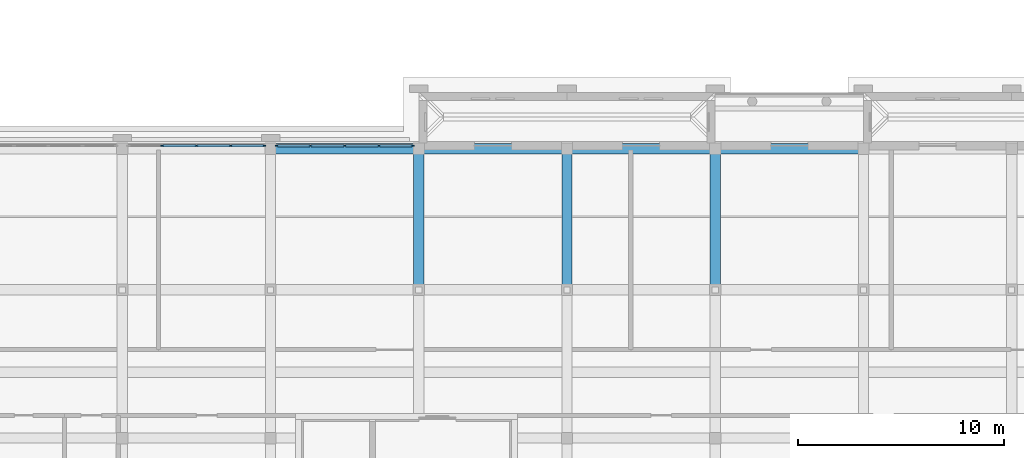
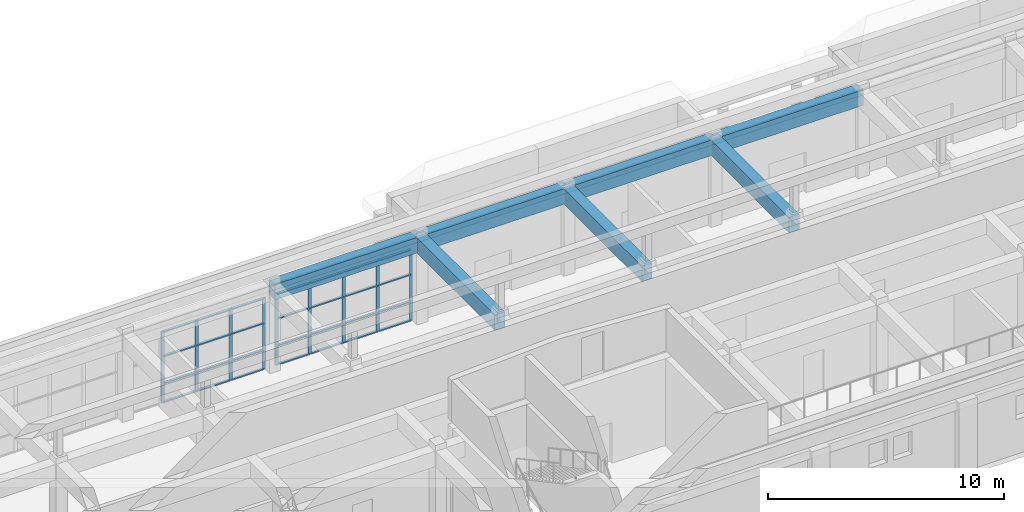
# One storey, part 10 of 48: 37 members, 7 beams, 2 elements without a shape of their own.
"""IFC4 building model written with IfcOpenShell, lengths in metres."""

from ifc_helpers import new_model, si_unit, direction, frame, origin, origin_2d, place, context, subcontext, project, spatial, rectangle, extrude, material, material_profile, profile_set, type_object, element, aggregate, save


model = new_model("IFC4")

# Units and contexts
model_context = context("Model", 3, precision=1e-05, world=origin(), true_north=direction((0.0, 1.0)))
body_context = subcontext(model_context, "Body", "Model", "MODEL_VIEW")
ifc_project = project(units=[si_unit("LENGTHUNIT", "METRE"), si_unit("AREAUNIT", "SQUARE_METRE"), si_unit("VOLUMEUNIT", "CUBIC_METRE"), si_unit("PLANEANGLEUNIT", "RADIAN"), si_unit("MASSUNIT", "GRAM", prefix="KILO")], contexts=[model_context])

# Site, building, storey
site_placement = place(None, origin())
site = spatial("IfcSite", under=ifc_project, at=site_placement, CompositionType="ELEMENT")
building_placement = place(site_placement, origin())
building = spatial("IfcBuilding", under=site, at=building_placement, Name="Alderwick Market Hall", CompositionType="ELEMENT")
storey_placement = place(building_placement, frame((0.0, 0.0, 14.39990234375)))
storey = spatial("IfcBuildingStorey", under=building, at=storey_placement, Name="L02", CompositionType="ELEMENT", Elevation=14.39990234375)

# Curtain wall, members
ifc_material_1 = material(Name="C Curtain Wall 1800 module")
curtain_wall_type = type_object("IfcCurtainWallType", Name="C Curtain Wall 1800 module", PredefinedType="NOTDEFINED", material=ifc_material_1)
curtain_wall_1_placement = place(storey_placement, origin())
curtain_wall_1 = element("IfcCurtainWall", 1, at=curtain_wall_1_placement, inside=storey, type_object=curtain_wall_type, Name="C.cw.L02.05", PredefinedType="NOTDEFINED")
ifc_material_2 = material(Name="Aluminium alloy 6063-T6", Category="aluminium")
ifc_material_profile_1 = material_profile(ifc_material_2, rectangle(XDim=0.06005859375, YDim=0.159912109375, at=origin_2d()), Name="AL 60x160")
ifc_profile_set_1 = profile_set([ifc_material_profile_1], Name="Aluminium alloy 6063-T6")
member_type_1 = type_object("IfcMemberType", Name="C Curtain Wall Mullion 60x160", PredefinedType="MULLION", material=ifc_profile_set_1)
member_1_placement = place(storey_placement, frame((181.9375, 28.60009765625, 0.0), z_axis=(0.0, 0.0, 1.0), x_axis=(0.0, 1.0, 0.0)))
member_1 = element("IfcMember", 2, at=member_1_placement, type_object=member_type_1, Name="C-CW mullion 2", PredefinedType="MULLION", context=body_context, shape_type="SweptSolid", body=[
    extrude(rectangle(XDim=0.06005859375, YDim=0.159912109375, at=origin_2d()), origin(), (0.0, 0.0, 1.0), 3.7001953125),
])
member_2_placement = place(storey_placement, frame((183.60009765625, 28.60009765625, 0.0), z_axis=(0.0, 0.0, 1.0), x_axis=(0.0, 1.0, 0.0)))
member_2 = element("IfcMember", 3, at=member_2_placement, type_object=member_type_1, Name="C-CW mullion 3", PredefinedType="MULLION", context=body_context, shape_type="SweptSolid", body=[
    extrude(rectangle(XDim=0.06005859375, YDim=0.159912109375, at=origin_2d()), origin(), (0.0, 0.0, 1.0), 3.7001953125),
])
member_3_placement = place(storey_placement, frame((185.262451171875, 28.60009765625, 0.0), z_axis=(0.0, 0.0, 1.0), x_axis=(0.0, 1.0, 0.0)))
member_3 = element("IfcMember", 4, at=member_3_placement, type_object=member_type_1, Name="C-CW mullion 4", PredefinedType="MULLION", context=body_context, shape_type="SweptSolid", body=[
    extrude(rectangle(XDim=0.06005859375, YDim=0.159912109375, at=origin_2d()), origin(), (0.0, 0.0, 1.0), 3.7001953125),
])
member_4_placement = place(storey_placement, frame((186.89501953125, 28.60009765625, 0.0), z_axis=(0.0, 0.0, 1.0), x_axis=(0.0, 1.0, 0.0)))
member_4 = element("IfcMember", 5, at=member_4_placement, type_object=member_type_1, Name="C-CW mullion 5", PredefinedType="MULLION", context=body_context, shape_type="SweptSolid", body=[
    extrude(rectangle(XDim=0.06005859375, YDim=0.159912109375, at=origin_2d()), origin(), (0.0, 0.0, 1.0), 3.7001953125),
])

curtain_wall_2_placement = place(storey_placement, origin())
curtain_wall_2 = element("IfcCurtainWall", 6, at=curtain_wall_2_placement, inside=storey, type_object=curtain_wall_type, Name="C.cw.L02.06", PredefinedType="NOTDEFINED")
member_5_placement = place(storey_placement, frame((187.5048828125, 28.60009765625, 0.0), z_axis=(0.0, 0.0, 1.0), x_axis=(0.0, 1.0, 0.0)))
member_5 = element("IfcMember", 7, at=member_5_placement, type_object=member_type_1, Name="C-CW mullion 1", PredefinedType="MULLION", context=body_context, shape_type="SweptSolid", body=[
    extrude(rectangle(XDim=0.06005859375, YDim=0.159912109375, at=origin_2d()), origin(), (0.0, 0.0, 1.0), 3.7001953125),
])
member_6_placement = place(storey_placement, frame((189.137451171875, 28.60009765625, 0.0), z_axis=(0.0, 0.0, 1.0), x_axis=(0.0, 1.0, 0.0)))
member_6 = element("IfcMember", 8, at=member_6_placement, type_object=member_type_1, Name="C-CW mullion 2", PredefinedType="MULLION", context=body_context, shape_type="SweptSolid", body=[
    extrude(rectangle(XDim=0.06005859375, YDim=0.159912109375, at=origin_2d()), origin(), (0.0, 0.0, 1.0), 3.7001953125),
])
member_7_placement = place(storey_placement, frame((190.800048828125, 28.60009765625, 0.0), z_axis=(0.0, 0.0, 1.0), x_axis=(0.0, 1.0, 0.0)))
member_7 = element("IfcMember", 9, at=member_7_placement, type_object=member_type_1, Name="C-CW mullion 3", PredefinedType="MULLION", context=body_context, shape_type="SweptSolid", body=[
    extrude(rectangle(XDim=0.06005859375, YDim=0.159912109375, at=origin_2d()), origin(), (0.0, 0.0, 1.0), 3.7001953125),
])
member_8_placement = place(storey_placement, frame((192.46240234375, 28.60009765625, 0.0), z_axis=(0.0, 0.0, 1.0), x_axis=(0.0, 1.0, 0.0)))
member_8 = element("IfcMember", 10, at=member_8_placement, type_object=member_type_1, Name="C-CW mullion 4", PredefinedType="MULLION", context=body_context, shape_type="SweptSolid", body=[
    extrude(rectangle(XDim=0.06005859375, YDim=0.159912109375, at=origin_2d()), origin(), (0.0, 0.0, 1.0), 3.7001953125),
])
member_9_placement = place(storey_placement, frame((194.094970703125, 28.60009765625, 0.0), z_axis=(0.0, 0.0, 1.0), x_axis=(0.0, 1.0, 0.0)))
member_9 = element("IfcMember", 11, at=member_9_placement, type_object=member_type_1, Name="C-CW mullion 5", PredefinedType="MULLION", context=body_context, shape_type="SweptSolid", body=[
    extrude(rectangle(XDim=0.06005859375, YDim=0.159912109375, at=origin_2d()), origin(), (0.0, 0.0, 1.0), 3.7001953125),
])

# Member
ifc_material_profile_2 = material_profile(ifc_material_2, rectangle(XDim=0.1201171875, YDim=0.06005859375, at=origin_2d()), Name="AL 60x120")
ifc_profile_set_2 = profile_set([ifc_material_profile_2], Name="Aluminium alloy 6063-T6")
member_type_2 = type_object("IfcMemberType", Name="C Curtain Wall Transom 60x120", PredefinedType="USERDEFINED", material=ifc_profile_set_2)
member_10_placement = place(storey_placement, frame((181.967529296875, 28.60009765625, 0.030029296875), z_axis=(1.0, 0.0, 0.0), x_axis=(0.0, 1.0, 0.0)))
member_10 = element("IfcMember", 12, at=member_10_placement, type_object=member_type_2, Name="C-CW transom 2.1", ObjectType="TRANSOM", PredefinedType="USERDEFINED", context=body_context, shape_type="SweptSolid", body=[
    extrude(rectangle(XDim=0.1201171875, YDim=0.06005859375, at=origin_2d()), origin(), (0.0, 0.0, 1.0), 1.6025390625),
])

member_11_placement = place(storey_placement, frame((181.967529296875, 28.60009765625, 1.0), z_axis=(1.0, 0.0, 0.0), x_axis=(0.0, 1.0, 0.0)))
member_11 = element("IfcMember", 13, at=member_11_placement, type_object=member_type_2, Name="C-CW transom 2.2", ObjectType="TRANSOM", PredefinedType="USERDEFINED", context=body_context, shape_type="SweptSolid", body=[
    extrude(rectangle(XDim=0.1201171875, YDim=0.06005859375, at=origin_2d()), origin(), (0.0, 0.0, 1.0), 1.6025390625),
])

member_12_placement = place(storey_placement, frame((181.967529296875, 28.60009765625, 2.400146484375), z_axis=(1.0, 0.0, 0.0), x_axis=(0.0, 1.0, 0.0)))
member_12 = element("IfcMember", 14, at=member_12_placement, type_object=member_type_2, Name="C-CW transom 2.3", ObjectType="TRANSOM", PredefinedType="USERDEFINED", context=body_context, shape_type="SweptSolid", body=[
    extrude(rectangle(XDim=0.1201171875, YDim=0.06005859375, at=origin_2d()), origin(), (0.0, 0.0, 1.0), 1.6025390625),
])

member_13_placement = place(storey_placement, frame((181.967529296875, 28.60009765625, 3.670166015625), z_axis=(1.0, 0.0, 0.0), x_axis=(0.0, 1.0, 0.0)))
member_13 = element("IfcMember", 15, at=member_13_placement, type_object=member_type_2, Name="C-CW transom 2.4", ObjectType="TRANSOM", PredefinedType="USERDEFINED", context=body_context, shape_type="SweptSolid", body=[
    extrude(rectangle(XDim=0.1201171875, YDim=0.06005859375, at=origin_2d()), origin(), (0.0, 0.0, 1.0), 1.6025390625),
])

member_14_placement = place(storey_placement, frame((183.6298828125, 28.60009765625, 0.030029296875), z_axis=(1.0, 0.0, 0.0), x_axis=(0.0, 1.0, 0.0)))
member_14 = element("IfcMember", 16, at=member_14_placement, type_object=member_type_2, Name="C-CW transom 3.1", ObjectType="TRANSOM", PredefinedType="USERDEFINED", context=body_context, shape_type="SweptSolid", body=[
    extrude(rectangle(XDim=0.1201171875, YDim=0.06005859375, at=origin_2d()), origin(), (0.0, 0.0, 1.0), 1.6025390625),
])

member_15_placement = place(storey_placement, frame((183.6298828125, 28.60009765625, 1.0), z_axis=(1.0, 0.0, 0.0), x_axis=(0.0, 1.0, 0.0)))
member_15 = element("IfcMember", 17, at=member_15_placement, type_object=member_type_2, Name="C-CW transom 3.2", ObjectType="TRANSOM", PredefinedType="USERDEFINED", context=body_context, shape_type="SweptSolid", body=[
    extrude(rectangle(XDim=0.1201171875, YDim=0.06005859375, at=origin_2d()), origin(), (0.0, 0.0, 1.0), 1.6025390625),
])

member_16_placement = place(storey_placement, frame((183.6298828125, 28.60009765625, 2.400146484375), z_axis=(1.0, 0.0, 0.0), x_axis=(0.0, 1.0, 0.0)))
member_16 = element("IfcMember", 18, at=member_16_placement, type_object=member_type_2, Name="C-CW transom 3.3", ObjectType="TRANSOM", PredefinedType="USERDEFINED", context=body_context, shape_type="SweptSolid", body=[
    extrude(rectangle(XDim=0.1201171875, YDim=0.06005859375, at=origin_2d()), origin(), (0.0, 0.0, 1.0), 1.6025390625),
])

member_17_placement = place(storey_placement, frame((183.6298828125, 28.60009765625, 3.670166015625), z_axis=(1.0, 0.0, 0.0), x_axis=(0.0, 1.0, 0.0)))
member_17 = element("IfcMember", 19, at=member_17_placement, type_object=member_type_2, Name="C-CW transom 3.4", ObjectType="TRANSOM", PredefinedType="USERDEFINED", context=body_context, shape_type="SweptSolid", body=[
    extrude(rectangle(XDim=0.1201171875, YDim=0.06005859375, at=origin_2d()), origin(), (0.0, 0.0, 1.0), 1.6025390625),
])

member_18_placement = place(storey_placement, frame((185.29248046875, 28.60009765625, 0.030029296875), z_axis=(1.0, 0.0, 0.0), x_axis=(0.0, 1.0, 0.0)))
member_18 = element("IfcMember", 20, at=member_18_placement, type_object=member_type_2, Name="C-CW transom 4.1", ObjectType="TRANSOM", PredefinedType="USERDEFINED", context=body_context, shape_type="SweptSolid", body=[
    extrude(rectangle(XDim=0.1201171875, YDim=0.06005859375, at=origin_2d()), origin(), (0.0, 0.0, 1.0), 1.572509765625),
])

member_19_placement = place(storey_placement, frame((185.29248046875, 28.60009765625, 1.0), z_axis=(1.0, 0.0, 0.0), x_axis=(0.0, 1.0, 0.0)))
member_19 = element("IfcMember", 21, at=member_19_placement, type_object=member_type_2, Name="C-CW transom 4.2", ObjectType="TRANSOM", PredefinedType="USERDEFINED", context=body_context, shape_type="SweptSolid", body=[
    extrude(rectangle(XDim=0.1201171875, YDim=0.06005859375, at=origin_2d()), origin(), (0.0, 0.0, 1.0), 1.572509765625),
])

member_20_placement = place(storey_placement, frame((185.29248046875, 28.60009765625, 2.400146484375), z_axis=(1.0, 0.0, 0.0), x_axis=(0.0, 1.0, 0.0)))
member_20 = element("IfcMember", 22, at=member_20_placement, type_object=member_type_2, Name="C-CW transom 4.3", ObjectType="TRANSOM", PredefinedType="USERDEFINED", context=body_context, shape_type="SweptSolid", body=[
    extrude(rectangle(XDim=0.1201171875, YDim=0.06005859375, at=origin_2d()), origin(), (0.0, 0.0, 1.0), 1.572509765625),
])

member_21_placement = place(storey_placement, frame((185.29248046875, 28.60009765625, 3.670166015625), z_axis=(1.0, 0.0, 0.0), x_axis=(0.0, 1.0, 0.0)))
member_21 = element("IfcMember", 23, at=member_21_placement, type_object=member_type_2, Name="C-CW transom 4.4", ObjectType="TRANSOM", PredefinedType="USERDEFINED", context=body_context, shape_type="SweptSolid", body=[
    extrude(rectangle(XDim=0.1201171875, YDim=0.06005859375, at=origin_2d()), origin(), (0.0, 0.0, 1.0), 1.572509765625),
])

aggregate(curtain_wall_1, [member_1, member_2, member_3, member_4, member_10, member_11, member_12, member_13, member_14, member_15, member_16, member_17, member_18, member_19, member_20, member_21])

member_22_placement = place(storey_placement, frame((187.534912109375, 28.60009765625, 0.030029296875), z_axis=(1.0, 0.0, 0.0), x_axis=(0.0, 1.0, 0.0)))
member_22 = element("IfcMember", 24, at=member_22_placement, type_object=member_type_2, Name="C-CW transom 1.1", ObjectType="TRANSOM", PredefinedType="USERDEFINED", context=body_context, shape_type="SweptSolid", body=[
    extrude(rectangle(XDim=0.1201171875, YDim=0.06005859375, at=origin_2d()), origin(), (0.0, 0.0, 1.0), 1.572509765625),
])

member_23_placement = place(storey_placement, frame((187.534912109375, 28.60009765625, 1.0), z_axis=(1.0, 0.0, 0.0), x_axis=(0.0, 1.0, 0.0)))
member_23 = element("IfcMember", 25, at=member_23_placement, type_object=member_type_2, Name="C-CW transom 1.2", ObjectType="TRANSOM", PredefinedType="USERDEFINED", context=body_context, shape_type="SweptSolid", body=[
    extrude(rectangle(XDim=0.1201171875, YDim=0.06005859375, at=origin_2d()), origin(), (0.0, 0.0, 1.0), 1.572509765625),
])

member_24_placement = place(storey_placement, frame((187.534912109375, 28.60009765625, 2.400146484375), z_axis=(1.0, 0.0, 0.0), x_axis=(0.0, 1.0, 0.0)))
member_24 = element("IfcMember", 26, at=member_24_placement, type_object=member_type_2, Name="C-CW transom 1.3", ObjectType="TRANSOM", PredefinedType="USERDEFINED", context=body_context, shape_type="SweptSolid", body=[
    extrude(rectangle(XDim=0.1201171875, YDim=0.06005859375, at=origin_2d()), origin(), (0.0, 0.0, 1.0), 1.572509765625),
])

member_25_placement = place(storey_placement, frame((187.534912109375, 28.60009765625, 3.670166015625), z_axis=(1.0, 0.0, 0.0), x_axis=(0.0, 1.0, 0.0)))
member_25 = element("IfcMember", 27, at=member_25_placement, type_object=member_type_2, Name="C-CW transom 1.4", ObjectType="TRANSOM", PredefinedType="USERDEFINED", context=body_context, shape_type="SweptSolid", body=[
    extrude(rectangle(XDim=0.1201171875, YDim=0.06005859375, at=origin_2d()), origin(), (0.0, 0.0, 1.0), 1.572509765625),
])

member_26_placement = place(storey_placement, frame((189.16748046875, 28.60009765625, 0.030029296875), z_axis=(1.0, 0.0, 0.0), x_axis=(0.0, 1.0, 0.0)))
member_26 = element("IfcMember", 28, at=member_26_placement, type_object=member_type_2, Name="C-CW transom 2.1", ObjectType="TRANSOM", PredefinedType="USERDEFINED", context=body_context, shape_type="SweptSolid", body=[
    extrude(rectangle(XDim=0.1201171875, YDim=0.06005859375, at=origin_2d()), origin(), (0.0, 0.0, 1.0), 1.6025390625),
])

member_27_placement = place(storey_placement, frame((189.16748046875, 28.60009765625, 1.0), z_axis=(1.0, 0.0, 0.0), x_axis=(0.0, 1.0, 0.0)))
member_27 = element("IfcMember", 29, at=member_27_placement, type_object=member_type_2, Name="C-CW transom 2.2", ObjectType="TRANSOM", PredefinedType="USERDEFINED", context=body_context, shape_type="SweptSolid", body=[
    extrude(rectangle(XDim=0.1201171875, YDim=0.06005859375, at=origin_2d()), origin(), (0.0, 0.0, 1.0), 1.6025390625),
])

member_28_placement = place(storey_placement, frame((189.16748046875, 28.60009765625, 2.400146484375), z_axis=(1.0, 0.0, 0.0), x_axis=(0.0, 1.0, 0.0)))
member_28 = element("IfcMember", 30, at=member_28_placement, type_object=member_type_2, Name="C-CW transom 2.3", ObjectType="TRANSOM", PredefinedType="USERDEFINED", context=body_context, shape_type="SweptSolid", body=[
    extrude(rectangle(XDim=0.1201171875, YDim=0.06005859375, at=origin_2d()), origin(), (0.0, 0.0, 1.0), 1.6025390625),
])

member_29_placement = place(storey_placement, frame((189.16748046875, 28.60009765625, 3.670166015625), z_axis=(1.0, 0.0, 0.0), x_axis=(0.0, 1.0, 0.0)))
member_29 = element("IfcMember", 31, at=member_29_placement, type_object=member_type_2, Name="C-CW transom 2.4", ObjectType="TRANSOM", PredefinedType="USERDEFINED", context=body_context, shape_type="SweptSolid", body=[
    extrude(rectangle(XDim=0.1201171875, YDim=0.06005859375, at=origin_2d()), origin(), (0.0, 0.0, 1.0), 1.6025390625),
])

member_30_placement = place(storey_placement, frame((190.830078125, 28.60009765625, 0.030029296875), z_axis=(1.0, 0.0, 0.0), x_axis=(0.0, 1.0, 0.0)))
member_30 = element("IfcMember", 32, at=member_30_placement, type_object=member_type_2, Name="C-CW transom 3.1", ObjectType="TRANSOM", PredefinedType="USERDEFINED", context=body_context, shape_type="SweptSolid", body=[
    extrude(rectangle(XDim=0.1201171875, YDim=0.06005859375, at=origin_2d()), origin(), (0.0, 0.0, 1.0), 1.6025390625),
])

member_31_placement = place(storey_placement, frame((190.830078125, 28.60009765625, 1.0), z_axis=(1.0, 0.0, 0.0), x_axis=(0.0, 1.0, 0.0)))
member_31 = element("IfcMember", 33, at=member_31_placement, type_object=member_type_2, Name="C-CW transom 3.2", ObjectType="TRANSOM", PredefinedType="USERDEFINED", context=body_context, shape_type="SweptSolid", body=[
    extrude(rectangle(XDim=0.1201171875, YDim=0.06005859375, at=origin_2d()), origin(), (0.0, 0.0, 1.0), 1.6025390625),
])

member_32_placement = place(storey_placement, frame((190.830078125, 28.60009765625, 2.400146484375), z_axis=(1.0, 0.0, 0.0), x_axis=(0.0, 1.0, 0.0)))
member_32 = element("IfcMember", 34, at=member_32_placement, type_object=member_type_2, Name="C-CW transom 3.3", ObjectType="TRANSOM", PredefinedType="USERDEFINED", context=body_context, shape_type="SweptSolid", body=[
    extrude(rectangle(XDim=0.1201171875, YDim=0.06005859375, at=origin_2d()), origin(), (0.0, 0.0, 1.0), 1.6025390625),
])

member_33_placement = place(storey_placement, frame((190.830078125, 28.60009765625, 3.670166015625), z_axis=(1.0, 0.0, 0.0), x_axis=(0.0, 1.0, 0.0)))
member_33 = element("IfcMember", 35, at=member_33_placement, type_object=member_type_2, Name="C-CW transom 3.4", ObjectType="TRANSOM", PredefinedType="USERDEFINED", context=body_context, shape_type="SweptSolid", body=[
    extrude(rectangle(XDim=0.1201171875, YDim=0.06005859375, at=origin_2d()), origin(), (0.0, 0.0, 1.0), 1.6025390625),
])

member_34_placement = place(storey_placement, frame((192.492431640625, 28.60009765625, 0.030029296875), z_axis=(1.0, 0.0, 0.0), x_axis=(0.0, 1.0, 0.0)))
member_34 = element("IfcMember", 36, at=member_34_placement, type_object=member_type_2, Name="C-CW transom 4.1", ObjectType="TRANSOM", PredefinedType="USERDEFINED", context=body_context, shape_type="SweptSolid", body=[
    extrude(rectangle(XDim=0.1201171875, YDim=0.06005859375, at=origin_2d()), origin(), (0.0, 0.0, 1.0), 1.572509765625),
])

member_35_placement = place(storey_placement, frame((192.492431640625, 28.60009765625, 1.0), z_axis=(1.0, 0.0, 0.0), x_axis=(0.0, 1.0, 0.0)))
member_35 = element("IfcMember", 37, at=member_35_placement, type_object=member_type_2, Name="C-CW transom 4.2", ObjectType="TRANSOM", PredefinedType="USERDEFINED", context=body_context, shape_type="SweptSolid", body=[
    extrude(rectangle(XDim=0.1201171875, YDim=0.06005859375, at=origin_2d()), origin(), (0.0, 0.0, 1.0), 1.572509765625),
])

member_36_placement = place(storey_placement, frame((192.492431640625, 28.60009765625, 2.400146484375), z_axis=(1.0, 0.0, 0.0), x_axis=(0.0, 1.0, 0.0)))
member_36 = element("IfcMember", 38, at=member_36_placement, type_object=member_type_2, Name="C-CW transom 4.3", ObjectType="TRANSOM", PredefinedType="USERDEFINED", context=body_context, shape_type="SweptSolid", body=[
    extrude(rectangle(XDim=0.1201171875, YDim=0.06005859375, at=origin_2d()), origin(), (0.0, 0.0, 1.0), 1.572509765625),
])

member_37_placement = place(storey_placement, frame((192.492431640625, 28.60009765625, 3.670166015625), z_axis=(1.0, 0.0, 0.0), x_axis=(0.0, 1.0, 0.0)))
member_37 = element("IfcMember", 39, at=member_37_placement, type_object=member_type_2, Name="C-CW transom 4.4", ObjectType="TRANSOM", PredefinedType="USERDEFINED", context=body_context, shape_type="SweptSolid", body=[
    extrude(rectangle(XDim=0.1201171875, YDim=0.06005859375, at=origin_2d()), origin(), (0.0, 0.0, 1.0), 1.572509765625),
])

aggregate(curtain_wall_2, [member_5, member_6, member_7, member_8, member_9, member_22, member_23, member_24, member_25, member_26, member_27, member_28, member_29, member_30, member_31, member_32, member_33, member_34, member_35, member_36, member_37])

# Beams
ifc_material_3 = material(Name="Concrete 5000 psi (f'c 35 MPa)", Category="concrete")
ifc_material_profile_3 = material_profile(ifc_material_3, rectangle(XDim=0.5, YDim=0.800048828125, at=origin_2d()), Name="RC 500x800")
ifc_profile_set_3 = profile_set([ifc_material_profile_3], Name="Concrete 5000 psi (f'c 35 MPa)")
beam_type = type_object("IfcBeamType", Name="C Roof Girder RC 500x800", PredefinedType="BEAM", material=ifc_profile_set_3)
beam_1_placement = place(storey_placement, frame((187.199951171875, 28.449951171875, 4.10009765625), z_axis=(1.0, 0.0, 0.0), x_axis=(0.0, 1.0, 0.0)))
element("IfcBeam", 40, at=beam_1_placement, inside=storey, type_object=beam_type, Name="C.beam.L02.005", PredefinedType="BEAM", context=body_context, shape_type="SweptSolid", body=[
    extrude(rectangle(XDim=0.5, YDim=0.800048828125, at=origin_2d()), origin(), (0.0, 0.0, 1.0), 7.199951171875),
])
beam_2_placement = place(storey_placement, frame((194.39990234375, 28.449951171875, 4.10009765625), z_axis=(1.0, 0.0, 0.0), x_axis=(0.0, 1.0, 0.0)))
element("IfcBeam", 41, at=beam_2_placement, inside=storey, type_object=beam_type, Name="C.beam.L02.006", PredefinedType="BEAM", context=body_context, shape_type="SweptSolid", body=[
    extrude(rectangle(XDim=0.5, YDim=0.800048828125, at=origin_2d()), origin(), (0.0, 0.0, 1.0), 7.2001953125),
])
for number, where, z_axis, x_axis, name in (
    (42, (201.60009765625, 28.449951171875, 4.10009765625), (1.0, 0.0, 0.0), (0.0, 1.0, 0.0), "C.beam.L02.007"),
    (43, (208.800048828125, 28.449951171875, 4.10009765625), (1.0, 0.0, 0.0), (0.0, 1.0, 0.0), "C.beam.L02.008"),
):
    element("IfcBeam", number, at=place(storey_placement, frame(where, z_axis=z_axis, x_axis=x_axis)), inside=storey, type_object=beam_type, Name=name, PredefinedType="BEAM", context=body_context, shape_type="SweptSolid", body=[
        extrude(rectangle(XDim=0.5, YDim=0.800048828125, at=origin_2d()), origin(), (0.0, 0.0, 1.0), 7.199951171875),
    ])
for number, where, z_axis, x_axis, name in (
    (44, (194.39990234375, 28.449951171875, 4.10009765625), (0.0, -1.0, 0.0), (1.0, 0.0, 0.0), "C.beam.L02.050"),
    (45, (201.60009765625, 28.449951171875, 4.10009765625), (0.0, -1.0, 0.0), (1.0, 0.0, 0.0), "C.beam.L02.052"),
    (46, (208.800048828125, 28.449951171875, 4.10009765625), (0.0, -1.0, 0.0), (1.0, 0.0, 0.0), "C.beam.L02.055"),
):
    element("IfcBeam", number, at=place(storey_placement, frame(where, z_axis=z_axis, x_axis=x_axis)), inside=storey, type_object=beam_type, Name=name, PredefinedType="BEAM", context=body_context, shape_type="SweptSolid", body=[
        extrude(rectangle(XDim=0.5, YDim=0.800048828125, at=origin_2d()), origin(), (0.0, 0.0, 1.0), 6.849853515625),
    ])

save(model, "model.ifc")
